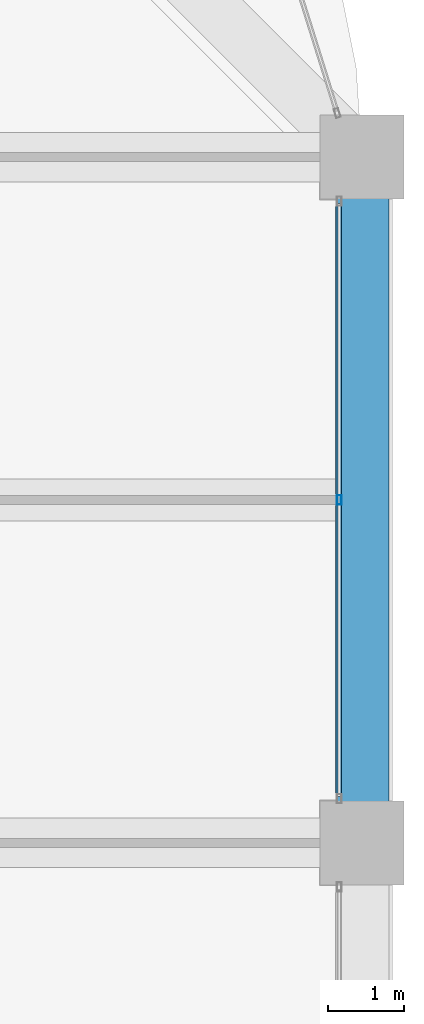
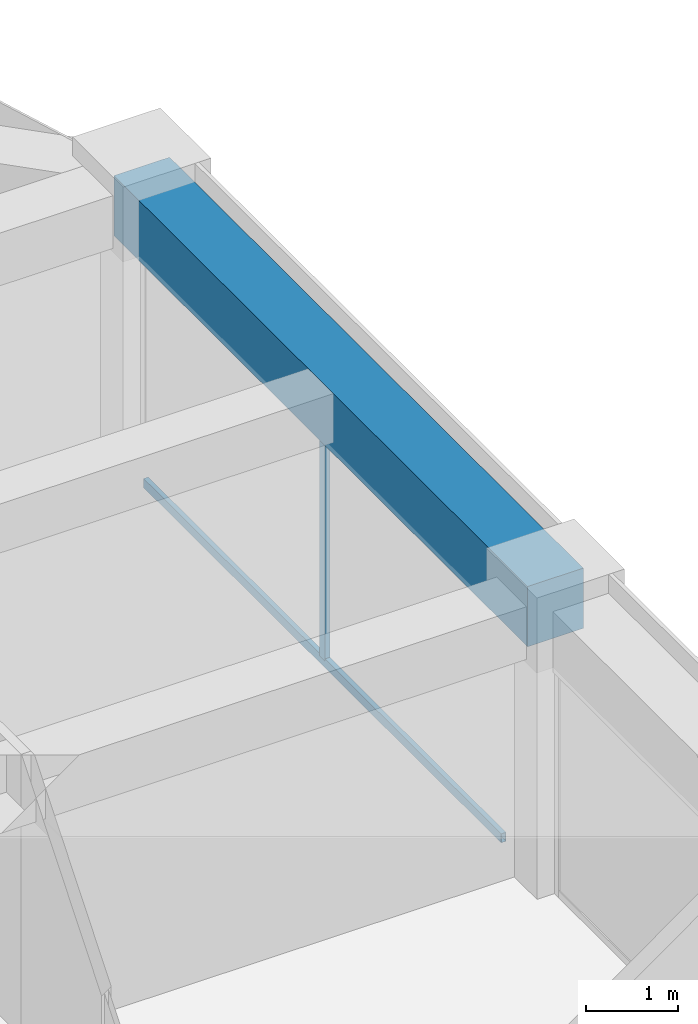
# One storey, part 27 of 44: 2 members, 1 beam, 1 element without a shape of its own.
"""IFC4 building model written with IfcOpenShell, lengths in metres."""

from ifc_helpers import new_model, si_unit, direction, frame, origin, origin_2d, place, context, subcontext, project, spatial, rectangle, hollow_rectangle, extrude, material, material_profile, profile_set, type_object, element, aggregate, save


model = new_model("IFC4")

# Units and contexts
model_context = context("Model", 3, precision=1e-05, world=origin(), true_north=direction((0.0, 1.0)))
body_context = subcontext(model_context, "Body", "Model", "MODEL_VIEW")
ifc_project = project(units=[si_unit("LENGTHUNIT", "METRE"), si_unit("AREAUNIT", "SQUARE_METRE"), si_unit("VOLUMEUNIT", "CUBIC_METRE"), si_unit("PLANEANGLEUNIT", "RADIAN"), si_unit("MASSUNIT", "GRAM", prefix="KILO")], contexts=[model_context])

# Site, building, storey
site_placement = place(None, origin())
site = spatial("IfcSite", under=ifc_project, at=site_placement, CompositionType="ELEMENT")
building_placement = place(site_placement, origin())
building = spatial("IfcBuilding", under=site, at=building_placement, Name="Zorevar Civic Tower", CompositionType="ELEMENT")
storey_placement = place(building_placement, frame((0.0, 0.0, 255.39990234375)))
storey = spatial("IfcBuildingStorey", under=building, at=storey_placement, Name="L62", CompositionType="ELEMENT", Elevation=255.39990234375)

# Curtain wall, members
ifc_material_1 = material(Name="Dark grey solar-control glass in black aluminium frame", Category="aluminium")
curtain_wall_type = type_object("IfcCurtainWallType", Name="Curtain wall CW5 top zone", PredefinedType="NOTDEFINED", material=ifc_material_1)
curtain_wall_placement = place(storey_placement, origin())
curtain_wall = element("IfcCurtainWall", 1, at=curtain_wall_placement, inside=storey, type_object=curtain_wall_type, Name="CW5 L62", PredefinedType="NOTDEFINED")
ifc_material_2 = material(Name="Aluminium, black anodised", Category="aluminium")
ifc_material_profile_1 = material_profile(ifc_material_2, hollow_rectangle(XDim=0.06005859375, YDim=0.1201171875, WallThickness=0.0029296875, at=origin_2d()), Name="AL 120x60x3")
ifc_profile_set_1 = profile_set([ifc_material_profile_1], Name="Aluminium, black anodised")
member_type_1 = type_object("IfcMemberType", Name="CW5 mullion AL 120x60x3", PredefinedType="MULLION", material=ifc_profile_set_1)
member_1_placement = place(storey_placement, frame((53.699951171875, 31.5, 0.06005859375), z_axis=(0.0, 0.0, 1.0), x_axis=(-1.0, 0.0, 0.0)))
member_1 = element("IfcMember", 2, at=member_1_placement, type_object=member_type_1, Name="CW5 mullion 2", PredefinedType="MULLION", context=body_context, shape_type="SweptSolid", body=[
    extrude(hollow_rectangle(XDim=0.06005859375, YDim=0.1201171875, WallThickness=0.0029296875, at=origin_2d()), origin(), (0.0, 0.0, 1.0), 2.89013671875),
])
ifc_material_3 = material(Name="Aluminium, black anodised", Category="aluminium")
ifc_material_profile_2 = material_profile(ifc_material_3, hollow_rectangle(XDim=0.06005859375, YDim=0.1201171875, WallThickness=0.0029296875, at=origin_2d()), Name="AL 120x60x3")
ifc_profile_set_2 = profile_set([ifc_material_profile_2], Name="Aluminium, black anodised")
member_type_2 = type_object("IfcMemberType", Name="CW5 transom AL 120x60x3", PredefinedType="USERDEFINED", material=ifc_profile_set_2)
member_2_placement = place(storey_placement, frame((53.699951171875, 27.610107421875, 0.030029296875), z_axis=(0.0, 1.0, 0.0), x_axis=(-1.0, 0.0, 0.0)))
member_2 = element("IfcMember", 3, at=member_2_placement, type_object=member_type_2, Name="CW5 sill transom", ObjectType="TRANSOM", PredefinedType="USERDEFINED", context=body_context, shape_type="SweptSolid", body=[
    extrude(hollow_rectangle(XDim=0.06005859375, YDim=0.1201171875, WallThickness=0.0029296875, at=origin_2d()), origin(), (0.0, 0.0, 1.0), 7.77978515625),
])
aggregate(curtain_wall, [member_1, member_2])

# Beam
ifc_material_4 = material(Name="Concrete C50/60", Category="concrete")
ifc_material_profile_3 = material_profile(ifc_material_4, rectangle(XDim=0.699951171875, YDim=0.800048828125, at=origin_2d()), Name="RC 700x800")
ifc_profile_set_3 = profile_set([ifc_material_profile_3], Name="Concrete C50/60")
beam_type = type_object("IfcBeamType", Name="Edge beam RC 700x800", PredefinedType="SPANDREL", material=ifc_profile_set_3)
beam_placement = place(storey_placement, frame((54.0, 27.0, 3.35009765625), z_axis=(0.0, 1.0, 0.0), x_axis=(-1.0, 0.0, 0.0)))
element("IfcBeam", 4, at=beam_placement, inside=storey, type_object=beam_type, Name="Edge beam L63", PredefinedType="SPANDREL", context=body_context, shape_type="SweptSolid", body=[
    extrude(rectangle(XDim=0.699951171875, YDim=0.800048828125, at=origin_2d()), origin(), (0.0, 0.0, 1.0), 9.0),
])

save(model, "model.ifc")
